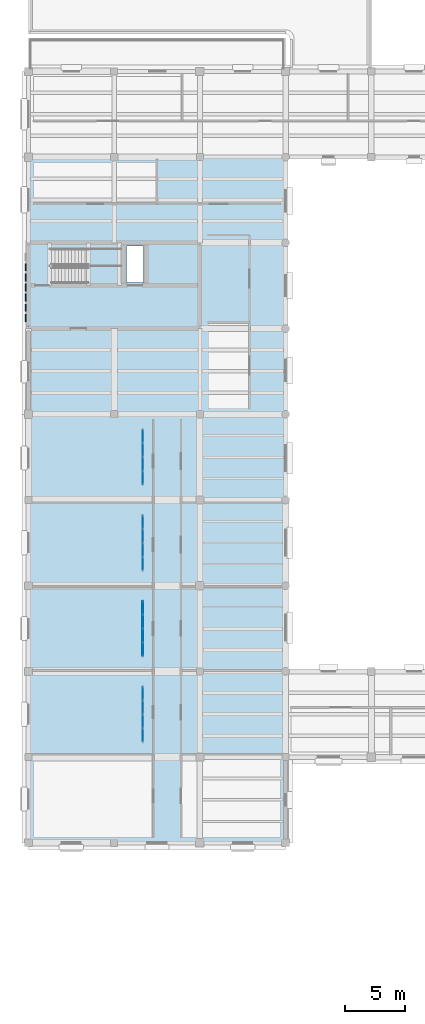
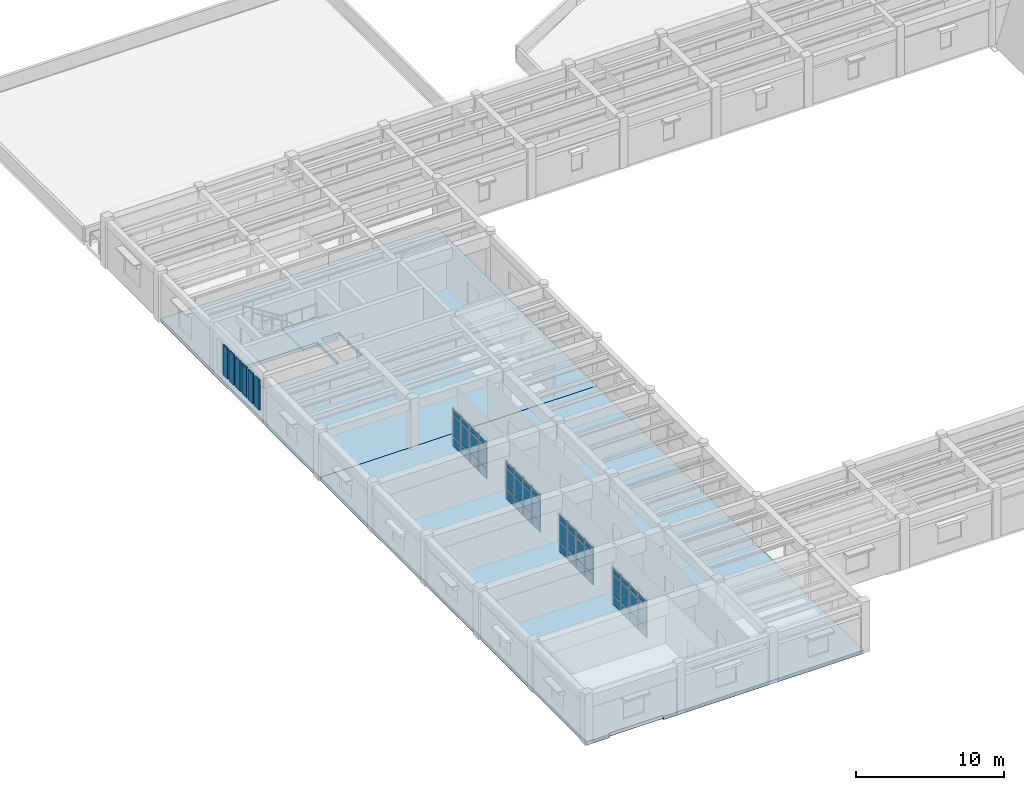
# One storey, part 24 of 66: 54 plates, 3 slabs, 5 elements without a shape of their own.
"""IFC4 building model written with IfcOpenShell, lengths in metres."""

from ifc_helpers import new_model, si_unit, direction, frame, origin, origin_2d, place, context, subcontext, project, spatial, polyline, rectangle, outline, extrude, material, layer, layer_set, type_object, element, aggregate, save


model = new_model("IFC4")

# Units and contexts
model_context = context("Model", 3, precision=1e-05, world=origin(), true_north=direction((0.0, 1.0)))
body_context = subcontext(model_context, "Body", "Model", "MODEL_VIEW")
ifc_project = project(units=[si_unit("LENGTHUNIT", "METRE"), si_unit("AREAUNIT", "SQUARE_METRE"), si_unit("VOLUMEUNIT", "CUBIC_METRE"), si_unit("PLANEANGLEUNIT", "RADIAN"), si_unit("MASSUNIT", "GRAM", prefix="KILO")], contexts=[model_context])

# Site, building, storey
site_placement = place(None, origin())
site = spatial("IfcSite", under=ifc_project, at=site_placement, CompositionType="ELEMENT")
building_placement = place(site_placement, origin())
building = spatial("IfcBuilding", under=site, at=building_placement, Name="Mithqara Police Headquarters", CompositionType="ELEMENT")
storey_placement = place(building_placement, frame((0.0, 0.0, 9.60009765625)))
storey = spatial("IfcBuildingStorey", under=building, at=storey_placement, Name="L02", CompositionType="ELEMENT", Elevation=9.60009765625)

# Curtain wall, plates
ifc_material_1 = material(Name="Bronze anodised aluminium 6063-T6", Category="aluminium")
curtain_wall_type = type_object("IfcCurtainWallType", Name="CURTAIN WALL 4700X3220", PredefinedType="USERDEFINED", material=ifc_material_1)
curtain_wall_1_placement = place(storey_placement, origin())
curtain_wall_1 = element("IfcCurtainWall", 1, at=curtain_wall_1_placement, inside=storey, type_object=curtain_wall_type, Name="L02 Unitised Glazing CW-16 (CW-INT-L02-X02-Y04-0)", ObjectType="UNITISED GLAZING", PredefinedType="USERDEFINED")
ifc_material_2 = material(Name="Spectrally selective double low-e glass", Category="glass")
ifc_layer_1 = layer(ifc_material_2, 0.028076171875, Name="Spectrally selective double low-e glass")
ifc_layer_set_1 = layer_set([ifc_layer_1], Name="Spectrally selective double low-e glass")
plate_type_1 = type_object("IfcPlateType", Name="CWPANEL GLASS28", PredefinedType="CURTAIN_PANEL", material=ifc_layer_set_1)
plate_1_placement = place(storey_placement, frame((17.39990234375, 30.05615234375, 0.074951171875), z_axis=(0.0, 0.0, 1.0), x_axis=(0.0, 1.0, 0.0)))
plate_1 = element("IfcPlate", 2, at=plate_1_placement, type_object=plate_type_1, Name="CW-16 panel 1.1", PredefinedType="CURTAIN_PANEL", context=body_context, shape_type="SweptSolid", body=[
    extrude(rectangle(XDim=1.0625, YDim=0.028076171875, at=origin_2d()), origin(), (0.0, 0.0, 1.0), 0.78759765625),
])
plate_2_placement = place(storey_placement, frame((17.39990234375, 30.05615234375, 0.9375), z_axis=(0.0, 0.0, 1.0), x_axis=(0.0, 1.0, 0.0)))
plate_2 = element("IfcPlate", 3, at=plate_2_placement, type_object=plate_type_1, Name="CW-16 panel 1.2", PredefinedType="CURTAIN_PANEL", context=body_context, shape_type="SweptSolid", body=[
    extrude(rectangle(XDim=1.0625, YDim=0.028076171875, at=origin_2d()), origin(), (0.0, 0.0, 1.0), 1.695068359375),
])
plate_3_placement = place(storey_placement, frame((17.39990234375, 30.05615234375, 2.70751953125), z_axis=(0.0, 0.0, 1.0), x_axis=(0.0, 1.0, 0.0)))
plate_3 = element("IfcPlate", 4, at=plate_3_placement, type_object=plate_type_1, Name="CW-16 panel 1.3", PredefinedType="CURTAIN_PANEL", context=body_context, shape_type="SweptSolid", body=[
    extrude(rectangle(XDim=1.0625, YDim=0.028076171875, at=origin_2d()), origin(), (0.0, 0.0, 1.0), 0.4375),
])
plate_4_placement = place(storey_placement, frame((17.39990234375, 31.21240234375, 0.074951171875), z_axis=(0.0, 0.0, 1.0), x_axis=(0.0, 1.0, 0.0)))
plate_4 = element("IfcPlate", 5, at=plate_4_placement, type_object=plate_type_1, Name="CW-16 panel 2.1", PredefinedType="CURTAIN_PANEL", context=body_context, shape_type="SweptSolid", body=[
    extrude(rectangle(XDim=1.10009765625, YDim=0.028076171875, at=origin_2d()), origin(), (0.0, 0.0, 1.0), 0.78759765625),
])
plate_5_placement = place(storey_placement, frame((17.39990234375, 31.21240234375, 0.9375), z_axis=(0.0, 0.0, 1.0), x_axis=(0.0, 1.0, 0.0)))
plate_5 = element("IfcPlate", 6, at=plate_5_placement, type_object=plate_type_1, Name="CW-16 panel 2.2", PredefinedType="CURTAIN_PANEL", context=body_context, shape_type="SweptSolid", body=[
    extrude(rectangle(XDim=1.10009765625, YDim=0.028076171875, at=origin_2d()), origin(), (0.0, 0.0, 1.0), 1.695068359375),
])
plate_6_placement = place(storey_placement, frame((17.39990234375, 31.21240234375, 2.70751953125), z_axis=(0.0, 0.0, 1.0), x_axis=(0.0, 1.0, 0.0)))
plate_6 = element("IfcPlate", 7, at=plate_6_placement, type_object=plate_type_1, Name="CW-16 panel 2.3", PredefinedType="CURTAIN_PANEL", context=body_context, shape_type="SweptSolid", body=[
    extrude(rectangle(XDim=1.10009765625, YDim=0.028076171875, at=origin_2d()), origin(), (0.0, 0.0, 1.0), 0.4375),
])
plate_7_placement = place(storey_placement, frame((17.39990234375, 32.387451171875, 0.074951171875), z_axis=(0.0, 0.0, 1.0), x_axis=(0.0, 1.0, 0.0)))
plate_7 = element("IfcPlate", 8, at=plate_7_placement, type_object=plate_type_1, Name="CW-16 panel 3.1", PredefinedType="CURTAIN_PANEL", context=body_context, shape_type="SweptSolid", body=[
    extrude(rectangle(XDim=1.10009765625, YDim=0.028076171875, at=origin_2d()), origin(), (0.0, 0.0, 1.0), 0.78759765625),
])
plate_8_placement = place(storey_placement, frame((17.39990234375, 32.387451171875, 0.9375), z_axis=(0.0, 0.0, 1.0), x_axis=(0.0, 1.0, 0.0)))
plate_8 = element("IfcPlate", 9, at=plate_8_placement, type_object=plate_type_1, Name="CW-16 panel 3.2", PredefinedType="CURTAIN_PANEL", context=body_context, shape_type="SweptSolid", body=[
    extrude(rectangle(XDim=1.10009765625, YDim=0.028076171875, at=origin_2d()), origin(), (0.0, 0.0, 1.0), 1.695068359375),
])
plate_9_placement = place(storey_placement, frame((17.39990234375, 32.387451171875, 2.70751953125), z_axis=(0.0, 0.0, 1.0), x_axis=(0.0, 1.0, 0.0)))
plate_9 = element("IfcPlate", 10, at=plate_9_placement, type_object=plate_type_1, Name="CW-16 panel 3.3", PredefinedType="CURTAIN_PANEL", context=body_context, shape_type="SweptSolid", body=[
    extrude(rectangle(XDim=1.10009765625, YDim=0.028076171875, at=origin_2d()), origin(), (0.0, 0.0, 1.0), 0.4375),
])
plate_10_placement = place(storey_placement, frame((17.39990234375, 33.543701171875, 0.074951171875), z_axis=(0.0, 0.0, 1.0), x_axis=(0.0, 1.0, 0.0)))
plate_10 = element("IfcPlate", 11, at=plate_10_placement, type_object=plate_type_1, Name="CW-16 panel 4.1", PredefinedType="CURTAIN_PANEL", context=body_context, shape_type="SweptSolid", body=[
    extrude(rectangle(XDim=1.0625, YDim=0.028076171875, at=origin_2d()), origin(), (0.0, 0.0, 1.0), 0.78759765625),
])
plate_11_placement = place(storey_placement, frame((17.39990234375, 33.543701171875, 0.9375), z_axis=(0.0, 0.0, 1.0), x_axis=(0.0, 1.0, 0.0)))
plate_11 = element("IfcPlate", 12, at=plate_11_placement, type_object=plate_type_1, Name="CW-16 panel 4.2", PredefinedType="CURTAIN_PANEL", context=body_context, shape_type="SweptSolid", body=[
    extrude(rectangle(XDim=1.0625, YDim=0.028076171875, at=origin_2d()), origin(), (0.0, 0.0, 1.0), 1.695068359375),
])
plate_12_placement = place(storey_placement, frame((17.39990234375, 33.543701171875, 2.70751953125), z_axis=(0.0, 0.0, 1.0), x_axis=(0.0, 1.0, 0.0)))
plate_12 = element("IfcPlate", 13, at=plate_12_placement, type_object=plate_type_1, Name="CW-16 panel 4.3", PredefinedType="CURTAIN_PANEL", context=body_context, shape_type="SweptSolid", body=[
    extrude(rectangle(XDim=1.0625, YDim=0.028076171875, at=origin_2d()), origin(), (0.0, 0.0, 1.0), 0.4375),
])
aggregate(curtain_wall_1, [plate_1, plate_2, plate_3, plate_4, plate_5, plate_6, plate_7, plate_8, plate_9, plate_10, plate_11, plate_12])

curtain_wall_2_placement = place(storey_placement, origin())
curtain_wall_2 = element("IfcCurtainWall", 14, at=curtain_wall_2_placement, inside=storey, type_object=curtain_wall_type, Name="L02 Unitised Glazing CW-16 (CW-INT-L02-X02-Y06-0)", ObjectType="UNITISED GLAZING", PredefinedType="USERDEFINED")
plate_13_placement = place(storey_placement, frame((17.39990234375, 44.456298828125, 0.074951171875), z_axis=(0.0, 0.0, 1.0), x_axis=(0.0, 1.0, 0.0)))
plate_13 = element("IfcPlate", 15, at=plate_13_placement, type_object=plate_type_1, Name="CW-16 panel 1.1", PredefinedType="CURTAIN_PANEL", context=body_context, shape_type="SweptSolid", body=[
    extrude(rectangle(XDim=1.0625, YDim=0.028076171875, at=origin_2d()), origin(), (0.0, 0.0, 1.0), 0.78759765625),
])
plate_14_placement = place(storey_placement, frame((17.39990234375, 44.456298828125, 0.9375), z_axis=(0.0, 0.0, 1.0), x_axis=(0.0, 1.0, 0.0)))
plate_14 = element("IfcPlate", 16, at=plate_14_placement, type_object=plate_type_1, Name="CW-16 panel 1.2", PredefinedType="CURTAIN_PANEL", context=body_context, shape_type="SweptSolid", body=[
    extrude(rectangle(XDim=1.0625, YDim=0.028076171875, at=origin_2d()), origin(), (0.0, 0.0, 1.0), 1.695068359375),
])
plate_15_placement = place(storey_placement, frame((17.39990234375, 44.456298828125, 2.70751953125), z_axis=(0.0, 0.0, 1.0), x_axis=(0.0, 1.0, 0.0)))
plate_15 = element("IfcPlate", 17, at=plate_15_placement, type_object=plate_type_1, Name="CW-16 panel 1.3", PredefinedType="CURTAIN_PANEL", context=body_context, shape_type="SweptSolid", body=[
    extrude(rectangle(XDim=1.0625, YDim=0.028076171875, at=origin_2d()), origin(), (0.0, 0.0, 1.0), 0.4375),
])
plate_16_placement = place(storey_placement, frame((17.39990234375, 45.612548828125, 0.074951171875), z_axis=(0.0, 0.0, 1.0), x_axis=(0.0, 1.0, 0.0)))
plate_16 = element("IfcPlate", 18, at=plate_16_placement, type_object=plate_type_1, Name="CW-16 panel 2.1", PredefinedType="CURTAIN_PANEL", context=body_context, shape_type="SweptSolid", body=[
    extrude(rectangle(XDim=1.10009765625, YDim=0.028076171875, at=origin_2d()), origin(), (0.0, 0.0, 1.0), 0.78759765625),
])
plate_17_placement = place(storey_placement, frame((17.39990234375, 45.612548828125, 0.9375), z_axis=(0.0, 0.0, 1.0), x_axis=(0.0, 1.0, 0.0)))
plate_17 = element("IfcPlate", 19, at=plate_17_placement, type_object=plate_type_1, Name="CW-16 panel 2.2", PredefinedType="CURTAIN_PANEL", context=body_context, shape_type="SweptSolid", body=[
    extrude(rectangle(XDim=1.10009765625, YDim=0.028076171875, at=origin_2d()), origin(), (0.0, 0.0, 1.0), 1.695068359375),
])
plate_18_placement = place(storey_placement, frame((17.39990234375, 45.612548828125, 2.70751953125), z_axis=(0.0, 0.0, 1.0), x_axis=(0.0, 1.0, 0.0)))
plate_18 = element("IfcPlate", 20, at=plate_18_placement, type_object=plate_type_1, Name="CW-16 panel 2.3", PredefinedType="CURTAIN_PANEL", context=body_context, shape_type="SweptSolid", body=[
    extrude(rectangle(XDim=1.10009765625, YDim=0.028076171875, at=origin_2d()), origin(), (0.0, 0.0, 1.0), 0.4375),
])
plate_19_placement = place(storey_placement, frame((17.39990234375, 46.78759765625, 0.074951171875), z_axis=(0.0, 0.0, 1.0), x_axis=(0.0, 1.0, 0.0)))
plate_19 = element("IfcPlate", 21, at=plate_19_placement, type_object=plate_type_1, Name="CW-16 panel 3.1", PredefinedType="CURTAIN_PANEL", context=body_context, shape_type="SweptSolid", body=[
    extrude(rectangle(XDim=1.10009765625, YDim=0.028076171875, at=origin_2d()), origin(), (0.0, 0.0, 1.0), 0.78759765625),
])
plate_20_placement = place(storey_placement, frame((17.39990234375, 46.78759765625, 0.9375), z_axis=(0.0, 0.0, 1.0), x_axis=(0.0, 1.0, 0.0)))
plate_20 = element("IfcPlate", 22, at=plate_20_placement, type_object=plate_type_1, Name="CW-16 panel 3.2", PredefinedType="CURTAIN_PANEL", context=body_context, shape_type="SweptSolid", body=[
    extrude(rectangle(XDim=1.10009765625, YDim=0.028076171875, at=origin_2d()), origin(), (0.0, 0.0, 1.0), 1.695068359375),
])
plate_21_placement = place(storey_placement, frame((17.39990234375, 46.78759765625, 2.70751953125), z_axis=(0.0, 0.0, 1.0), x_axis=(0.0, 1.0, 0.0)))
plate_21 = element("IfcPlate", 23, at=plate_21_placement, type_object=plate_type_1, Name="CW-16 panel 3.3", PredefinedType="CURTAIN_PANEL", context=body_context, shape_type="SweptSolid", body=[
    extrude(rectangle(XDim=1.10009765625, YDim=0.028076171875, at=origin_2d()), origin(), (0.0, 0.0, 1.0), 0.4375),
])
plate_22_placement = place(storey_placement, frame((17.39990234375, 47.94384765625, 0.074951171875), z_axis=(0.0, 0.0, 1.0), x_axis=(0.0, 1.0, 0.0)))
plate_22 = element("IfcPlate", 24, at=plate_22_placement, type_object=plate_type_1, Name="CW-16 panel 4.1", PredefinedType="CURTAIN_PANEL", context=body_context, shape_type="SweptSolid", body=[
    extrude(rectangle(XDim=1.0625, YDim=0.028076171875, at=origin_2d()), origin(), (0.0, 0.0, 1.0), 0.78759765625),
])
plate_23_placement = place(storey_placement, frame((17.39990234375, 47.94384765625, 0.9375), z_axis=(0.0, 0.0, 1.0), x_axis=(0.0, 1.0, 0.0)))
plate_23 = element("IfcPlate", 25, at=plate_23_placement, type_object=plate_type_1, Name="CW-16 panel 4.2", PredefinedType="CURTAIN_PANEL", context=body_context, shape_type="SweptSolid", body=[
    extrude(rectangle(XDim=1.0625, YDim=0.028076171875, at=origin_2d()), origin(), (0.0, 0.0, 1.0), 1.695068359375),
])
plate_24_placement = place(storey_placement, frame((17.39990234375, 47.94384765625, 2.70751953125), z_axis=(0.0, 0.0, 1.0), x_axis=(0.0, 1.0, 0.0)))
plate_24 = element("IfcPlate", 26, at=plate_24_placement, type_object=plate_type_1, Name="CW-16 panel 4.3", PredefinedType="CURTAIN_PANEL", context=body_context, shape_type="SweptSolid", body=[
    extrude(rectangle(XDim=1.0625, YDim=0.028076171875, at=origin_2d()), origin(), (0.0, 0.0, 1.0), 0.4375),
])
aggregate(curtain_wall_2, [plate_13, plate_14, plate_15, plate_16, plate_17, plate_18, plate_19, plate_20, plate_21, plate_22, plate_23, plate_24])

curtain_wall_3_placement = place(storey_placement, origin())
curtain_wall_3 = element("IfcCurtainWall", 27, at=curtain_wall_3_placement, inside=storey, type_object=curtain_wall_type, Name="L02 Unitised Glazing CW-16 (CW-INT-L02-X02-Y07-0)", ObjectType="UNITISED GLAZING", PredefinedType="USERDEFINED")
plate_25_placement = place(storey_placement, frame((17.39990234375, 51.65625, 0.074951171875), z_axis=(0.0, 0.0, 1.0), x_axis=(0.0, 1.0, 0.0)))
plate_25 = element("IfcPlate", 28, at=plate_25_placement, type_object=plate_type_1, Name="CW-16 panel 1.1", PredefinedType="CURTAIN_PANEL", context=body_context, shape_type="SweptSolid", body=[
    extrude(rectangle(XDim=1.0625, YDim=0.028076171875, at=origin_2d()), origin(), (0.0, 0.0, 1.0), 0.78759765625),
])
plate_26_placement = place(storey_placement, frame((17.39990234375, 51.65625, 0.9375), z_axis=(0.0, 0.0, 1.0), x_axis=(0.0, 1.0, 0.0)))
plate_26 = element("IfcPlate", 29, at=plate_26_placement, type_object=plate_type_1, Name="CW-16 panel 1.2", PredefinedType="CURTAIN_PANEL", context=body_context, shape_type="SweptSolid", body=[
    extrude(rectangle(XDim=1.0625, YDim=0.028076171875, at=origin_2d()), origin(), (0.0, 0.0, 1.0), 1.695068359375),
])
plate_27_placement = place(storey_placement, frame((17.39990234375, 51.65625, 2.70751953125), z_axis=(0.0, 0.0, 1.0), x_axis=(0.0, 1.0, 0.0)))
plate_27 = element("IfcPlate", 30, at=plate_27_placement, type_object=plate_type_1, Name="CW-16 panel 1.3", PredefinedType="CURTAIN_PANEL", context=body_context, shape_type="SweptSolid", body=[
    extrude(rectangle(XDim=1.0625, YDim=0.028076171875, at=origin_2d()), origin(), (0.0, 0.0, 1.0), 0.4375),
])
plate_28_placement = place(storey_placement, frame((17.39990234375, 52.8125, 0.074951171875), z_axis=(0.0, 0.0, 1.0), x_axis=(0.0, 1.0, 0.0)))
plate_28 = element("IfcPlate", 31, at=plate_28_placement, type_object=plate_type_1, Name="CW-16 panel 2.1", PredefinedType="CURTAIN_PANEL", context=body_context, shape_type="SweptSolid", body=[
    extrude(rectangle(XDim=1.10009765625, YDim=0.028076171875, at=origin_2d()), origin(), (0.0, 0.0, 1.0), 0.78759765625),
])
plate_29_placement = place(storey_placement, frame((17.39990234375, 52.8125, 0.9375), z_axis=(0.0, 0.0, 1.0), x_axis=(0.0, 1.0, 0.0)))
plate_29 = element("IfcPlate", 32, at=plate_29_placement, type_object=plate_type_1, Name="CW-16 panel 2.2", PredefinedType="CURTAIN_PANEL", context=body_context, shape_type="SweptSolid", body=[
    extrude(rectangle(XDim=1.10009765625, YDim=0.028076171875, at=origin_2d()), origin(), (0.0, 0.0, 1.0), 1.695068359375),
])
plate_30_placement = place(storey_placement, frame((17.39990234375, 52.8125, 2.70751953125), z_axis=(0.0, 0.0, 1.0), x_axis=(0.0, 1.0, 0.0)))
plate_30 = element("IfcPlate", 33, at=plate_30_placement, type_object=plate_type_1, Name="CW-16 panel 2.3", PredefinedType="CURTAIN_PANEL", context=body_context, shape_type="SweptSolid", body=[
    extrude(rectangle(XDim=1.10009765625, YDim=0.028076171875, at=origin_2d()), origin(), (0.0, 0.0, 1.0), 0.4375),
])
plate_31_placement = place(storey_placement, frame((17.39990234375, 53.987548828125, 0.074951171875), z_axis=(0.0, 0.0, 1.0), x_axis=(0.0, 1.0, 0.0)))
plate_31 = element("IfcPlate", 34, at=plate_31_placement, type_object=plate_type_1, Name="CW-16 panel 3.1", PredefinedType="CURTAIN_PANEL", context=body_context, shape_type="SweptSolid", body=[
    extrude(rectangle(XDim=1.10009765625, YDim=0.028076171875, at=origin_2d()), origin(), (0.0, 0.0, 1.0), 0.78759765625),
])
plate_32_placement = place(storey_placement, frame((17.39990234375, 53.987548828125, 0.9375), z_axis=(0.0, 0.0, 1.0), x_axis=(0.0, 1.0, 0.0)))
plate_32 = element("IfcPlate", 35, at=plate_32_placement, type_object=plate_type_1, Name="CW-16 panel 3.2", PredefinedType="CURTAIN_PANEL", context=body_context, shape_type="SweptSolid", body=[
    extrude(rectangle(XDim=1.10009765625, YDim=0.028076171875, at=origin_2d()), origin(), (0.0, 0.0, 1.0), 1.695068359375),
])
plate_33_placement = place(storey_placement, frame((17.39990234375, 53.987548828125, 2.70751953125), z_axis=(0.0, 0.0, 1.0), x_axis=(0.0, 1.0, 0.0)))
plate_33 = element("IfcPlate", 36, at=plate_33_placement, type_object=plate_type_1, Name="CW-16 panel 3.3", PredefinedType="CURTAIN_PANEL", context=body_context, shape_type="SweptSolid", body=[
    extrude(rectangle(XDim=1.10009765625, YDim=0.028076171875, at=origin_2d()), origin(), (0.0, 0.0, 1.0), 0.4375),
])
plate_34_placement = place(storey_placement, frame((17.39990234375, 55.143798828125, 0.074951171875), z_axis=(0.0, 0.0, 1.0), x_axis=(0.0, 1.0, 0.0)))
plate_34 = element("IfcPlate", 37, at=plate_34_placement, type_object=plate_type_1, Name="CW-16 panel 4.1", PredefinedType="CURTAIN_PANEL", context=body_context, shape_type="SweptSolid", body=[
    extrude(rectangle(XDim=1.0625, YDim=0.028076171875, at=origin_2d()), origin(), (0.0, 0.0, 1.0), 0.78759765625),
])
plate_35_placement = place(storey_placement, frame((17.39990234375, 55.143798828125, 0.9375), z_axis=(0.0, 0.0, 1.0), x_axis=(0.0, 1.0, 0.0)))
plate_35 = element("IfcPlate", 38, at=plate_35_placement, type_object=plate_type_1, Name="CW-16 panel 4.2", PredefinedType="CURTAIN_PANEL", context=body_context, shape_type="SweptSolid", body=[
    extrude(rectangle(XDim=1.0625, YDim=0.028076171875, at=origin_2d()), origin(), (0.0, 0.0, 1.0), 1.695068359375),
])
plate_36_placement = place(storey_placement, frame((17.39990234375, 55.143798828125, 2.70751953125), z_axis=(0.0, 0.0, 1.0), x_axis=(0.0, 1.0, 0.0)))
plate_36 = element("IfcPlate", 39, at=plate_36_placement, type_object=plate_type_1, Name="CW-16 panel 4.3", PredefinedType="CURTAIN_PANEL", context=body_context, shape_type="SweptSolid", body=[
    extrude(rectangle(XDim=1.0625, YDim=0.028076171875, at=origin_2d()), origin(), (0.0, 0.0, 1.0), 0.4375),
])
aggregate(curtain_wall_3, [plate_25, plate_26, plate_27, plate_28, plate_29, plate_30, plate_31, plate_32, plate_33, plate_34, plate_35, plate_36])

curtain_wall_4_placement = place(storey_placement, origin())
curtain_wall_4 = element("IfcCurtainWall", 40, at=curtain_wall_4_placement, inside=storey, type_object=curtain_wall_type, Name="L02 Unitised Glazing CW-16 (CW-INT-L02-X02-Y05-0)", ObjectType="UNITISED GLAZING", PredefinedType="USERDEFINED")
ifc_material_3 = material(Name="Insulated bronze aluminium spandrel panel", Category="aluminium")
ifc_layer_2 = layer(ifc_material_3, 0.048095703125, Name="Insulated bronze aluminium spandrel panel")
ifc_layer_set_2 = layer_set([ifc_layer_2], Name="Insulated bronze aluminium spandrel panel")
plate_type_2 = type_object("IfcPlateType", Name="CWPANEL SPANDREL48", PredefinedType="CURTAIN_PANEL", material=ifc_layer_set_2)
plate_37_placement = place(storey_placement, frame((17.39990234375, 37.25634765625, 0.074951171875), z_axis=(0.0, 0.0, 1.0), x_axis=(0.0, 1.0, 0.0)))
plate_37 = element("IfcPlate", 41, at=plate_37_placement, type_object=plate_type_2, Name="CW-16 panel 1.1", PredefinedType="CURTAIN_PANEL", context=body_context, shape_type="SweptSolid", body=[
    extrude(rectangle(XDim=1.0625, YDim=0.048095703125, at=origin_2d()), origin(), (0.0, 0.0, 1.0), 0.78759765625),
])
plate_38_placement = place(storey_placement, frame((17.39990234375, 37.25634765625, 0.9375), z_axis=(0.0, 0.0, 1.0), x_axis=(0.0, 1.0, 0.0)))
plate_38 = element("IfcPlate", 42, at=plate_38_placement, type_object=plate_type_2, Name="CW-16 panel 1.2", PredefinedType="CURTAIN_PANEL", context=body_context, shape_type="SweptSolid", body=[
    extrude(rectangle(XDim=1.0625, YDim=0.048095703125, at=origin_2d()), origin(), (0.0, 0.0, 1.0), 1.695068359375),
])
plate_39_placement = place(storey_placement, frame((17.39990234375, 37.25634765625, 2.70751953125), z_axis=(0.0, 0.0, 1.0), x_axis=(0.0, 1.0, 0.0)))
plate_39 = element("IfcPlate", 43, at=plate_39_placement, type_object=plate_type_2, Name="CW-16 panel 1.3", PredefinedType="CURTAIN_PANEL", context=body_context, shape_type="SweptSolid", body=[
    extrude(rectangle(XDim=1.0625, YDim=0.048095703125, at=origin_2d()), origin(), (0.0, 0.0, 1.0), 0.4375),
])
plate_40_placement = place(storey_placement, frame((17.39990234375, 38.41259765625, 0.074951171875), z_axis=(0.0, 0.0, 1.0), x_axis=(0.0, 1.0, 0.0)))
plate_40 = element("IfcPlate", 44, at=plate_40_placement, type_object=plate_type_2, Name="CW-16 panel 2.1", PredefinedType="CURTAIN_PANEL", context=body_context, shape_type="SweptSolid", body=[
    extrude(rectangle(XDim=1.10009765625, YDim=0.048095703125, at=origin_2d()), origin(), (0.0, 0.0, 1.0), 0.78759765625),
])
plate_41_placement = place(storey_placement, frame((17.39990234375, 38.41259765625, 0.9375), z_axis=(0.0, 0.0, 1.0), x_axis=(0.0, 1.0, 0.0)))
plate_41 = element("IfcPlate", 45, at=plate_41_placement, type_object=plate_type_2, Name="CW-16 panel 2.2", PredefinedType="CURTAIN_PANEL", context=body_context, shape_type="SweptSolid", body=[
    extrude(rectangle(XDim=1.10009765625, YDim=0.048095703125, at=origin_2d()), origin(), (0.0, 0.0, 1.0), 1.695068359375),
])
plate_42_placement = place(storey_placement, frame((17.39990234375, 38.41259765625, 2.70751953125), z_axis=(0.0, 0.0, 1.0), x_axis=(0.0, 1.0, 0.0)))
plate_42 = element("IfcPlate", 46, at=plate_42_placement, type_object=plate_type_2, Name="CW-16 panel 2.3", PredefinedType="CURTAIN_PANEL", context=body_context, shape_type="SweptSolid", body=[
    extrude(rectangle(XDim=1.10009765625, YDim=0.048095703125, at=origin_2d()), origin(), (0.0, 0.0, 1.0), 0.4375),
])
plate_43_placement = place(storey_placement, frame((17.39990234375, 39.58740234375, 0.074951171875), z_axis=(0.0, 0.0, 1.0), x_axis=(0.0, 1.0, 0.0)))
plate_43 = element("IfcPlate", 47, at=plate_43_placement, type_object=plate_type_2, Name="CW-16 panel 3.1", PredefinedType="CURTAIN_PANEL", context=body_context, shape_type="SweptSolid", body=[
    extrude(rectangle(XDim=1.10009765625, YDim=0.048095703125, at=origin_2d()), origin(), (0.0, 0.0, 1.0), 0.78759765625),
])
plate_44_placement = place(storey_placement, frame((17.39990234375, 39.58740234375, 0.9375), z_axis=(0.0, 0.0, 1.0), x_axis=(0.0, 1.0, 0.0)))
plate_44 = element("IfcPlate", 48, at=plate_44_placement, type_object=plate_type_2, Name="CW-16 panel 3.2", PredefinedType="CURTAIN_PANEL", context=body_context, shape_type="SweptSolid", body=[
    extrude(rectangle(XDim=1.10009765625, YDim=0.048095703125, at=origin_2d()), origin(), (0.0, 0.0, 1.0), 1.695068359375),
])
plate_45_placement = place(storey_placement, frame((17.39990234375, 39.58740234375, 2.70751953125), z_axis=(0.0, 0.0, 1.0), x_axis=(0.0, 1.0, 0.0)))
plate_45 = element("IfcPlate", 49, at=plate_45_placement, type_object=plate_type_2, Name="CW-16 panel 3.3", PredefinedType="CURTAIN_PANEL", context=body_context, shape_type="SweptSolid", body=[
    extrude(rectangle(XDim=1.10009765625, YDim=0.048095703125, at=origin_2d()), origin(), (0.0, 0.0, 1.0), 0.4375),
])
plate_46_placement = place(storey_placement, frame((17.39990234375, 40.74365234375, 0.074951171875), z_axis=(0.0, 0.0, 1.0), x_axis=(0.0, 1.0, 0.0)))
plate_46 = element("IfcPlate", 50, at=plate_46_placement, type_object=plate_type_2, Name="CW-16 panel 4.1", PredefinedType="CURTAIN_PANEL", context=body_context, shape_type="SweptSolid", body=[
    extrude(rectangle(XDim=1.0625, YDim=0.048095703125, at=origin_2d()), origin(), (0.0, 0.0, 1.0), 0.78759765625),
])
plate_47_placement = place(storey_placement, frame((17.39990234375, 40.74365234375, 0.9375), z_axis=(0.0, 0.0, 1.0), x_axis=(0.0, 1.0, 0.0)))
plate_47 = element("IfcPlate", 51, at=plate_47_placement, type_object=plate_type_2, Name="CW-16 panel 4.2", PredefinedType="CURTAIN_PANEL", context=body_context, shape_type="SweptSolid", body=[
    extrude(rectangle(XDim=1.0625, YDim=0.048095703125, at=origin_2d()), origin(), (0.0, 0.0, 1.0), 1.695068359375),
])
plate_48_placement = place(storey_placement, frame((17.39990234375, 40.74365234375, 2.70751953125), z_axis=(0.0, 0.0, 1.0), x_axis=(0.0, 1.0, 0.0)))
plate_48 = element("IfcPlate", 52, at=plate_48_placement, type_object=plate_type_2, Name="CW-16 panel 4.3", PredefinedType="CURTAIN_PANEL", context=body_context, shape_type="SweptSolid", body=[
    extrude(rectangle(XDim=1.0625, YDim=0.048095703125, at=origin_2d()), origin(), (0.0, 0.0, 1.0), 0.4375),
])
aggregate(curtain_wall_4, [plate_37, plate_38, plate_39, plate_40, plate_41, plate_42, plate_43, plate_44, plate_45, plate_46, plate_47, plate_48])

# Slabs
ifc_material_4 = material(Name="Concrete C40/50", Category="concrete")
ifc_layer_3 = layer(ifc_material_4, 0.280029296875, Name="Concrete C40/50")
ifc_layer_set_3 = layer_set([ifc_layer_3], Name="Concrete C40/50")
slab_type_1 = type_object("IfcSlabType", Name="FLOOR SLAB 280", PredefinedType="FLOOR", material=ifc_layer_set_3)
slab_1_placement = place(storey_placement, frame((0.0, 0.0, -0.280029296875)))
element("IfcSlab", 53, at=slab_1_placement, inside=storey, type_object=slab_type_1, Name="L02 Structural Slab L02-V3", PredefinedType="FLOOR", context=body_context, shape_type="SweptSolid", body=[
    extrude(outline(polyline([(7.800048828125, 57.0), (29.39990234375, 57.0), (29.39990234375, 21.0), (13.800048828125, 21.0), (13.800048828125, 21.139892578125), (9.60009765625, 21.139892578125), (9.60009765625, 21.0), (7.800048828125, 21.0), (7.800048828125, 57.0)])), origin(), (0.0, 0.0, 1.0), 0.280029296875),
])
slab_2_placement = place(storey_placement, frame((0.0, 0.0, -0.280029296875)))
element("IfcSlab", 54, at=slab_2_placement, inside=storey, type_object=slab_type_1, Name="L02 Structural Slab L02-V5W", PredefinedType="FLOOR", context=body_context, shape_type="SweptSolid", body=[
    extrude(outline(polyline([(29.39990234375, 57.0), (7.800048828125, 57.0), (7.800048828125, 78.60009765625), (9.60009765625, 78.60009765625), (13.800048828125, 78.60009765625), (29.39990234375, 78.60009765625), (29.39990234375, 57.0)]), holes=[polyline([(9.75, 68.0), (15.60009765625, 68.0), (15.60009765625, 70.89990234375), (9.75, 70.89990234375), (9.75, 68.0)]), polyline([(17.449951171875, 68.070068359375), (17.449951171875, 71.14990234375), (16.030029296875, 71.14990234375), (16.030029296875, 68.070068359375), (17.449951171875, 68.070068359375)])]), origin(), (0.0, 0.0, 1.0), 0.280029296875),
])

# Stair, slab
stair_type = type_object("IfcStairType", Name="STAIR ST 03-R24", PredefinedType="HALF_TURN_STAIR", material=ifc_material_4)
stair_placement = place(storey_placement, origin())
stair = element("IfcStair", 55, at=stair_placement, inside=storey, type_object=stair_type, Name="L02 Core C3 Operations West Exit Stair", PredefinedType="HALF_TURN_STAIR")
ifc_layer_4 = layer(ifc_material_4, 0.199951171875, Name="Concrete C40/50")
ifc_layer_set_4 = layer_set([ifc_layer_4], Name="Concrete C40/50")
slab_type_2 = type_object("IfcSlabType", Name="STAIR LANDING 200", PredefinedType="LANDING", material=ifc_layer_set_4)
slab_3_placement = place(storey_placement, frame((0.0, 0.0, 1.89990234375)))
slab_3 = element("IfcSlab", 56, at=slab_3_placement, type_object=slab_type_2, Name="ST-03 landing 1", PredefinedType="LANDING", context=body_context, shape_type="SweptSolid", body=[
    extrude(outline(polyline([(12.830078125, 68.0), (15.60009765625, 68.0), (15.60009765625, 70.89990234375), (12.830078125, 70.89990234375), (12.830078125, 68.0)])), origin(), (0.0, 0.0, 1.0), 0.199951171875),
])
aggregate(stair, [slab_3])

# Plates
ifc_material_5 = material(Name="Limestone ashlar masonry, 45 MPa", Category="masonry")
ifc_layer_5 = layer(ifc_material_5, 0.10009765625, Name="Limestone ashlar masonry, 45 MPa")
ifc_layer_set_5 = layer_set([ifc_layer_5], Name="Limestone ashlar masonry, 45 MPa")
plate_type_3 = type_object("IfcPlateType", Name="STONE SCREEN 100", PredefinedType="USERDEFINED", material=ifc_layer_set_5)
for number, where, z_axis, x_axis, name in (
    (57, (7.56494140625, 65.10009765625, 0.89990234375), (0.0, 0.0, 1.0), (0.0, 1.0, 0.0), "L02 Core C3 Pierced Vertical-Slit Screen 1"),
    (58, (7.56494140625, 65.949951171875, 0.89990234375), (0.0, 0.0, 1.0), (0.0, 1.0, 0.0), "L02 Core C3 Pierced Vertical-Slit Screen 2"),
    (59, (7.56494140625, 66.800048828125, 0.89990234375), (0.0, 0.0, 1.0), (0.0, 1.0, 0.0), "L02 Core C3 Pierced Vertical-Slit Screen 3"),
    (60, (7.56494140625, 67.64990234375, 0.89990234375), (0.0, 0.0, 1.0), (0.0, 1.0, 0.0), "L02 Core C3 Pierced Vertical-Slit Screen 4"),
    (61, (7.56494140625, 68.5, 0.89990234375), (0.0, 0.0, 1.0), (0.0, 1.0, 0.0), "L02 Core C3 Pierced Vertical-Slit Screen 5"),
    (62, (7.56494140625, 69.35009765625, 0.89990234375), (0.0, 0.0, 1.0), (0.0, 1.0, 0.0), "L02 Core C3 Pierced Vertical-Slit Screen 6"),
):
    element("IfcPlate", number, at=place(storey_placement, frame(where, z_axis=z_axis, x_axis=x_axis)), inside=storey, type_object=plate_type_3, Name=name, ObjectType="STONE SCREEN", PredefinedType="USERDEFINED", context=body_context, shape_type="SweptSolid", body=[
        extrude(rectangle(XDim=0.6201171875, YDim=0.10009765625, at=origin_2d()), origin(), (0.0, 0.0, 1.0), 2.5),
    ])

save(model, "model.ifc")
